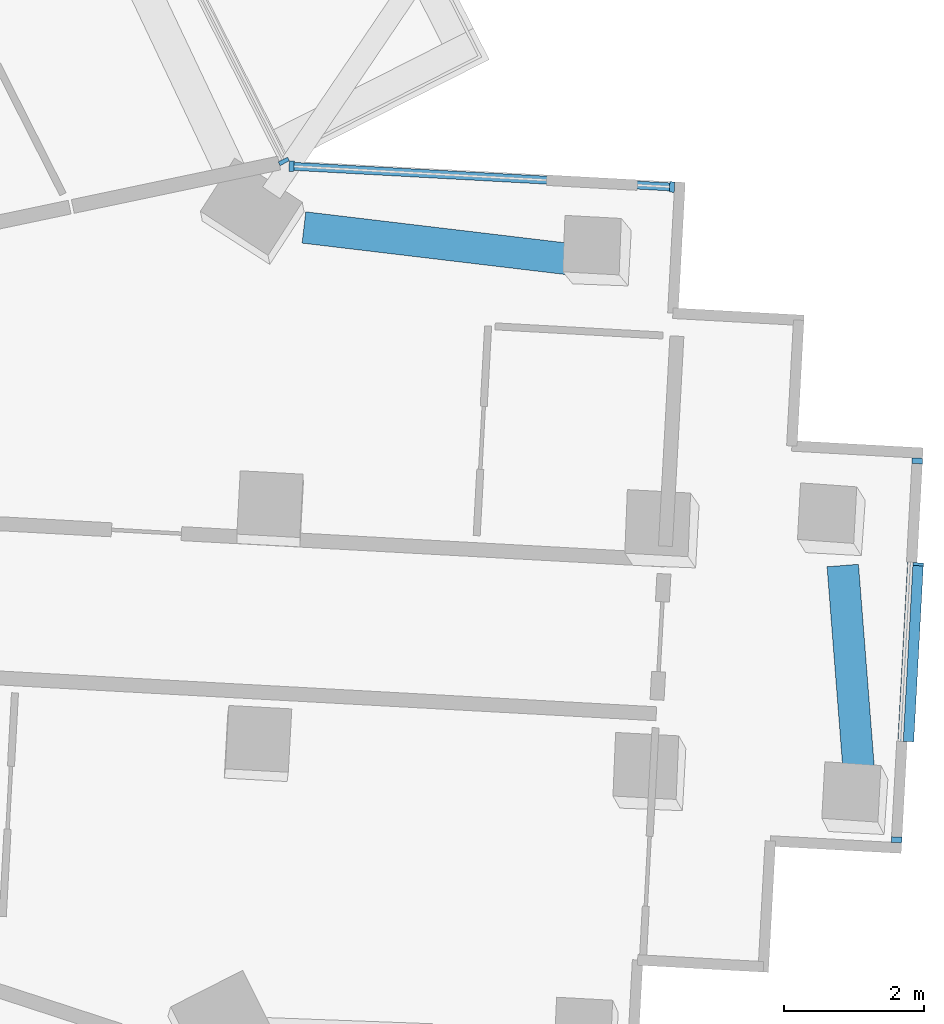
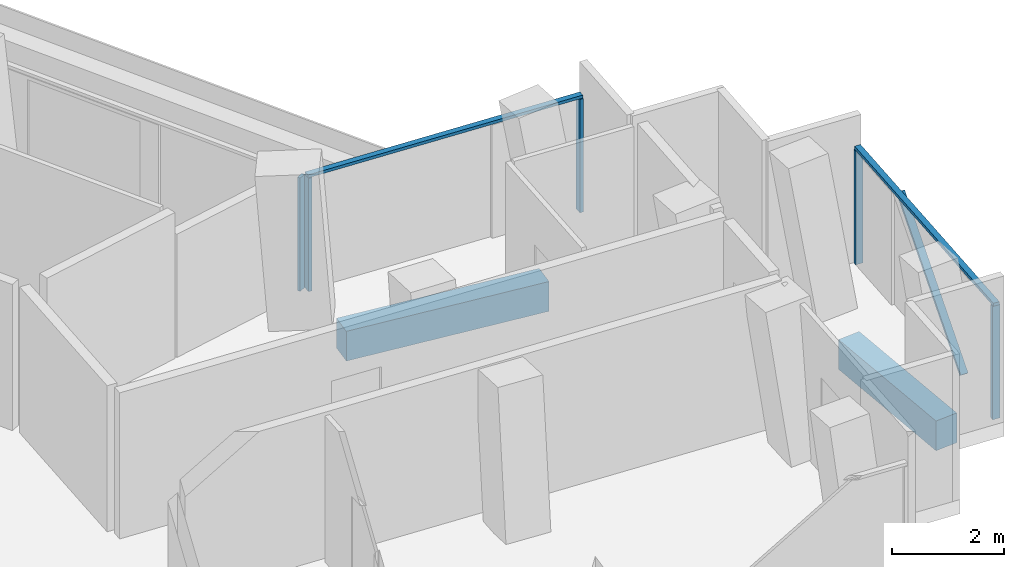
# One storey, part 6 of 23: 8 members, 2 beams, 3 elements without a shape of their own.
"""IFC4 building model written with IfcOpenShell, lengths in metres."""

from ifc_helpers import new_model, si_unit, direction, frame, origin, origin_2d, place, context, subcontext, project, spatial, rectangle, extrude, material, layer, layer_set, material_profile, profile_set, type_object, element, aggregate, save


model = new_model("IFC4")

# Units and contexts
model_context = context("Model", 3, precision=1e-05, world=origin(), true_north=direction((0.0, 1.0)))
body_context = subcontext(model_context, "Body", "Model", "MODEL_VIEW")
ifc_project = project(units=[si_unit("LENGTHUNIT", "METRE"), si_unit("AREAUNIT", "SQUARE_METRE"), si_unit("VOLUMEUNIT", "CUBIC_METRE"), si_unit("PLANEANGLEUNIT", "RADIAN"), si_unit("MASSUNIT", "GRAM", prefix="KILO")], contexts=[model_context])

# Site, building, storey
site_placement = place(None, origin())
site = spatial("IfcSite", under=ifc_project, at=site_placement, CompositionType="ELEMENT")
building_placement = place(site_placement, origin())
building = spatial("IfcBuilding", under=site, at=building_placement, Name="Verdalira Terraces Hotel", CompositionType="ELEMENT")
storey_placement = place(building_placement, frame((0.0, 0.0, 143.5)))
storey = spatial("IfcBuildingStorey", under=building, at=storey_placement, Name="L34", CompositionType="ELEMENT", Elevation=143.5)

# Curtain wall, member
ifc_material_1 = material(Name="Clear glass", Category="glass")
ifc_layer_1 = layer(ifc_material_1, 0.14990234375)
ifc_layer_set_1 = layer_set([ifc_layer_1], Name="CW1 curtain wall")
curtain_wall_type_1 = type_object("IfcCurtainWallType", Name="CW1 curtain wall", PredefinedType="NOTDEFINED", material=ifc_layer_set_1)
curtain_wall_1_placement = place(storey_placement, origin())
curtain_wall_1 = element("IfcCurtainWall", 1, at=curtain_wall_1_placement, inside=storey, type_object=curtain_wall_type_1, Name="CW1 curtain wall L34 edge 39", PredefinedType="NOTDEFINED")
ifc_material_2 = material(Name="Terracotta frame", Category="masonry")
ifc_material_profile_1 = material_profile(ifc_material_2, rectangle(XDim=0.060059, YDim=0.149902, at=origin_2d()), Name="MU 60x150")
ifc_profile_set_1 = profile_set([ifc_material_profile_1], Name="Terracotta frame")
member_type_1 = type_object("IfcMemberType", Name="CW1 mullion 60x150", PredefinedType="MULLION", material=ifc_profile_set_1)
member_1_placement = place(storey_placement, frame((24.495605, 5.162842, 0.0), z_axis=(0.0, 0.0, 1.0), x_axis=(-0.452123386, 0.891955405, 0.0)))
member_1 = element("IfcMember", 2, at=member_1_placement, type_object=member_type_1, Name="CW1 mullion", PredefinedType="MULLION", context=body_context, shape_type="SweptSolid", body=[
    extrude(rectangle(XDim=0.060059, YDim=0.149902, at=origin_2d()), origin(), (0.0, 0.0, 1.0), 2.475098),
])
aggregate(curtain_wall_1, [member_1])

# Curtain wall, members
ifc_material_3 = material(Name="Clear glass", Category="glass")
ifc_layer_2 = layer(ifc_material_3, 0.14990234375)
ifc_layer_set_2 = layer_set([ifc_layer_2], Name="CW2 curtain wall")
curtain_wall_type_2 = type_object("IfcCurtainWallType", Name="CW2 curtain wall", PredefinedType="NOTDEFINED", material=ifc_layer_set_2)
curtain_wall_2_placement = place(storey_placement, origin())
curtain_wall_2 = element("IfcCurtainWall", 3, at=curtain_wall_2_placement, inside=storey, type_object=curtain_wall_type_2, Name="CW2 curtain wall L34 edge 38", PredefinedType="NOTDEFINED")
ifc_material_4 = material(Name="Terracotta frame", Category="masonry")
ifc_material_profile_2 = material_profile(ifc_material_4, rectangle(XDim=0.070068, YDim=0.149902, at=origin_2d()), Name="MU 70x150")
ifc_profile_set_2 = profile_set([ifc_material_profile_2], Name="Terracotta frame")
member_type_2 = type_object("IfcMemberType", Name="CW2 mullion 70x150", PredefinedType="MULLION", material=ifc_profile_set_2)
member_2_placement = place(storey_placement, frame((30.04126, 4.797119, 0.0), z_axis=(0.0, 0.0, 1.0), x_axis=(-0.998517732, 0.054427365, 0.0)))
member_2 = element("IfcMember", 4, at=member_2_placement, type_object=member_type_2, Name="CW2 mullion", PredefinedType="MULLION", context=body_context, shape_type="SweptSolid", body=[
    extrude(rectangle(XDim=0.070068, YDim=0.149902, at=origin_2d()), origin(), (0.0, 0.0, 1.0), 2.475098),
])
member_3_placement = place(storey_placement, frame((24.606934, 5.093262, 0.0), z_axis=(0.0, 0.0, 1.0), x_axis=(-0.998517732, 0.054427365, 0.0)))
member_3 = element("IfcMember", 5, at=member_3_placement, type_object=member_type_2, Name="CW2 mullion", PredefinedType="MULLION", context=body_context, shape_type="SweptSolid", body=[
    extrude(rectangle(XDim=0.070068, YDim=0.149902, at=origin_2d()), origin(), (0.0, 0.0, 1.0), 2.475098),
])
ifc_material_5 = material(Name="Terracotta frame", Category="masonry")
ifc_material_profile_3 = material_profile(ifc_material_5, rectangle(XDim=0.11499, YDim=0.064941, at=origin_2d()), Name="TR 65x115")
ifc_profile_set_3 = profile_set([ifc_material_profile_3], Name="Terracotta frame")
member_type_3 = type_object("IfcMemberType", Name="CW2 transom 65x115", PredefinedType="USERDEFINED", material=ifc_profile_set_3)
member_4_placement = place(storey_placement, frame((30.076172, 4.795166, 2.507568), z_axis=(-0.998517459, 0.054432378, 0.0), x_axis=(-0.054432378, -0.998517459, 0.0)))
member_4 = element("IfcMember", 6, at=member_4_placement, type_object=member_type_3, Name="CW2 transom", ObjectType="TRANSOM", PredefinedType="USERDEFINED", context=body_context, shape_type="SweptSolid", body=[
    extrude(rectangle(XDim=0.11499, YDim=0.064941, at=origin_2d()), origin(), (0.0, 0.0, 1.0), 5.512207),
])
aggregate(curtain_wall_2, [member_2, member_3, member_4])

ifc_material_6 = material(Name="Clear glass", Category="glass")
ifc_layer_3 = layer(ifc_material_6, 0.14990234375)
ifc_layer_set_3 = layer_set([ifc_layer_3], Name="CW3 curtain wall")
curtain_wall_type_3 = type_object("IfcCurtainWallType", Name="CW3 curtain wall", PredefinedType="NOTDEFINED", material=ifc_layer_set_3)
curtain_wall_3_placement = place(storey_placement, origin())
curtain_wall_3 = element("IfcCurtainWall", 7, at=curtain_wall_3_placement, inside=storey, type_object=curtain_wall_type_3, Name="CW3 curtain wall L34 edge 33", PredefinedType="NOTDEFINED")
ifc_material_7 = material(Name="Terracotta frame", Category="masonry")
ifc_material_profile_4 = material_profile(ifc_material_7, rectangle(XDim=0.080078, YDim=0.149902, at=origin_2d()), Name="MU 80x150")
ifc_profile_set_4 = profile_set([ifc_material_profile_4], Name="Terracotta frame")
member_type_4 = type_object("IfcMemberType", Name="CW3 mullion 80x150", PredefinedType="MULLION", material=ifc_profile_set_4)
member_5_placement = place(storey_placement, frame((33.248535, -4.526367, 0.0), z_axis=(0.0, 0.0, 1.0), x_axis=(0.054427365, 0.998517732, 0.0)))
member_5 = element("IfcMember", 8, at=member_5_placement, type_object=member_type_4, Name="CW3 mullion", PredefinedType="MULLION", context=body_context, shape_type="SweptSolid", body=[
    extrude(rectangle(XDim=0.080078, YDim=0.149902, at=origin_2d()), origin(), (0.0, 0.0, 1.0), 2.475098),
])
member_6_placement = place(storey_placement, frame((33.543701, 0.885742, 0.0), z_axis=(0.0, 0.0, 1.0), x_axis=(0.054427365, 0.998517732, 0.0)))
member_6 = element("IfcMember", 9, at=member_6_placement, type_object=member_type_4, Name="CW3 mullion", PredefinedType="MULLION", context=body_context, shape_type="SweptSolid", body=[
    extrude(rectangle(XDim=0.080078, YDim=0.149902, at=origin_2d()), origin(), (0.0, 0.0, 1.0), 2.475098),
])
ifc_material_8 = material(Name="Terracotta frame", Category="masonry")
ifc_material_profile_5 = material_profile(ifc_material_8, rectangle(XDim=0.120117, YDim=0.064941, at=origin_2d()), Name="TR 65x120")
ifc_profile_set_5 = profile_set([ifc_material_profile_5], Name="Terracotta frame")
member_type_5 = type_object("IfcMemberType", Name="CW3 transom 65x120", PredefinedType="USERDEFINED", material=ifc_profile_set_5)
member_7_placement = place(storey_placement, frame((33.246582, -4.566406, 2.507568), z_axis=(0.054420236, 0.998518121, 0.0), x_axis=(-0.998518121, 0.054420236, 0.0)))
member_7 = element("IfcMember", 10, at=member_7_placement, type_object=member_type_5, Name="CW3 transom", ObjectType="TRANSOM", PredefinedType="USERDEFINED", context=body_context, shape_type="SweptSolid", body=[
    extrude(rectangle(XDim=0.120117, YDim=0.064941, at=origin_2d()), origin(), (0.0, 0.0, 1.0), 5.5),
])
ifc_material_9 = material(Name="Terracotta frame", Category="masonry")
ifc_material_profile_6 = material_profile(ifc_material_9, rectangle(XDim=0.149902, YDim=0.060059, at=origin_2d()), Name="GB 60x150")
ifc_profile_set_6 = profile_set([ifc_material_profile_6], Name="Terracotta frame")
member_type_6 = type_object("IfcMemberType", Name="Diagonal glazing bar 60x150", PredefinedType="USERDEFINED", material=ifc_profile_set_6)
member_8_placement = place(storey_placement, frame((33.419434, -3.102783, 0.022949), z_axis=(0.039166642, 0.718264556, 0.694666828), x_axis=(-0.998516572, 0.054448658, 0.0)))
member_8 = element("IfcMember", 11, at=member_8_placement, type_object=member_type_6, Name="Diagonal glazing bar", ObjectType="GLAZING BAR", PredefinedType="USERDEFINED", context=body_context, shape_type="SweptSolid", body=[
    extrude(rectangle(XDim=0.149902, YDim=0.060059, at=origin_2d()), origin(), (0.0, 0.0, 1.0), 3.496826),
])
aggregate(curtain_wall_3, [member_5, member_6, member_7, member_8])

# Beams
ifc_material_10 = material(Name="Concrete C50", Category="concrete")
ifc_material_profile_7 = material_profile(ifc_material_10, rectangle(XDim=0.449951, YDim=0.649902, at=origin_2d()), Name="RC 450X650")
ifc_profile_set_7 = profile_set([ifc_material_profile_7], Name="Concrete C50")
beam_type = type_object("IfcBeamType", Name="Spandrel beam RC 450X650 C50", PredefinedType="SPANDREL", material=ifc_profile_set_7)
beam_1_placement = place(storey_placement, frame((32.720215, -3.686279, -0.63501), z_axis=(-0.077912236, 0.996960222, 0.0), x_axis=(-0.996960222, -0.077912236, 0.0)))
element("IfcBeam", 12, at=beam_1_placement, inside=storey, type_object=beam_type, Name="Spandrel beam B16", PredefinedType="SPANDREL", context=body_context, shape_type="SweptSolid", body=[
    extrude(rectangle(XDim=0.449951, YDim=0.649902, at=origin_2d()), origin(), (0.0, 0.0, 1.0), 3.086426),
])
beam_2_placement = place(storey_placement, frame((28.704834, 3.751221, -0.63501), z_axis=(-0.992959389, 0.118455276, 0.0), x_axis=(-0.118455276, -0.992959389, 0.0)))
element("IfcBeam", 13, at=beam_2_placement, inside=storey, type_object=beam_type, Name="Spandrel beam B17", PredefinedType="SPANDREL", context=body_context, shape_type="SweptSolid", body=[
    extrude(rectangle(XDim=0.449951, YDim=0.649902, at=origin_2d()), origin(), (0.0, 0.0, 1.0), 3.948975),
])

save(model, "model.ifc")
